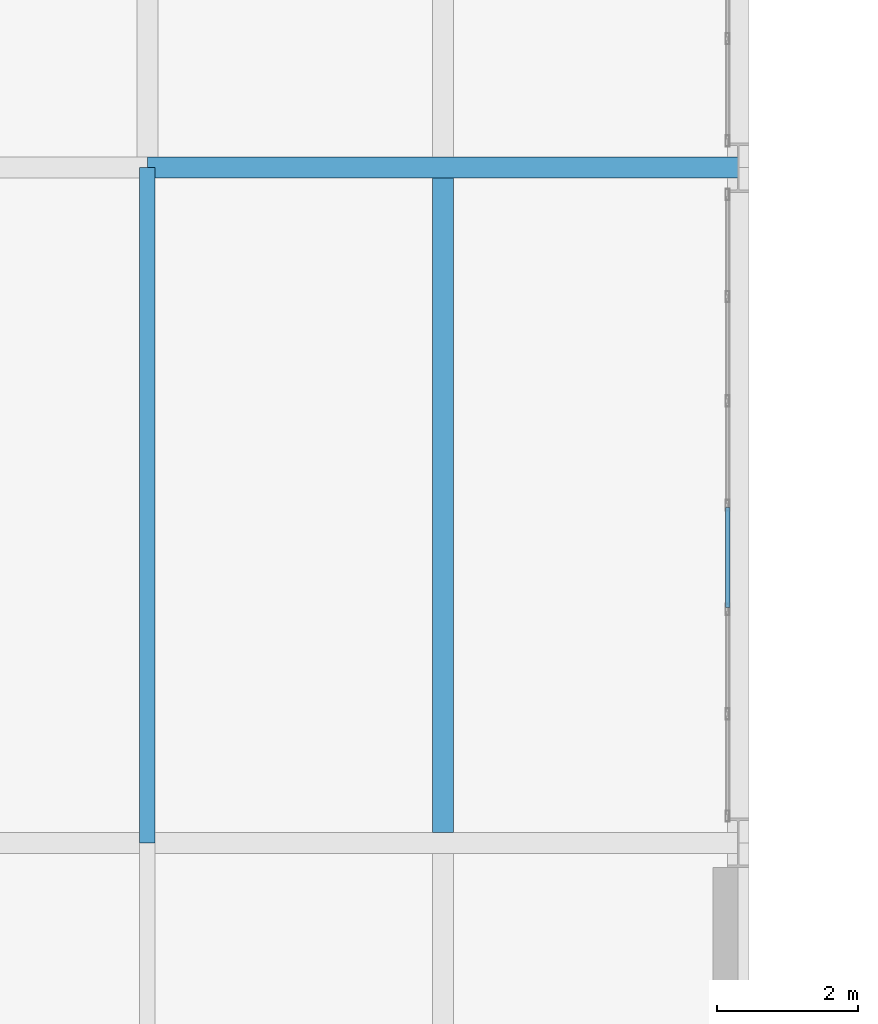
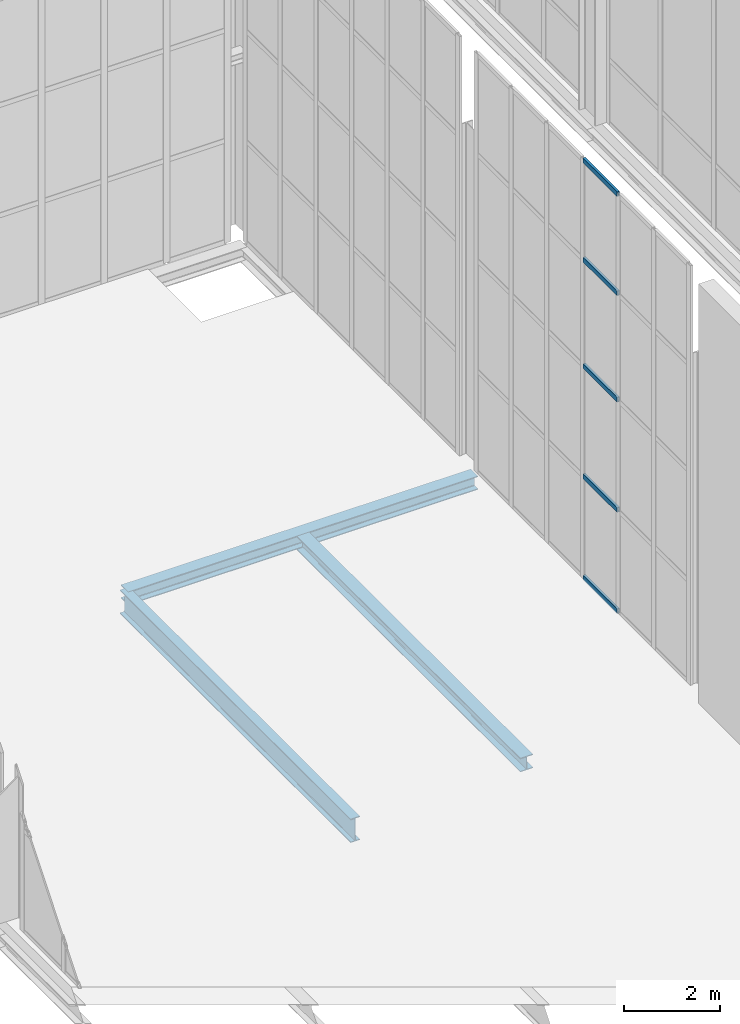
# One storey, part 56 of 131: 5 members, 3 beams, 1 element without a shape of its own.
"""IFC4 building model written with IfcOpenShell, lengths in metres."""

import ifcopenshell
import ifcopenshell.guid

model = None  # the IFC model being written
_history = None  # IfcOwnerHistory: only IFC2X3 demands one
_inside = {}  # id of a spatial element -> (the spatial element, [elements in it])
_under = {}  # id of a project, library or spatial element -> (it, [spatial elements below it])
_declared = {}  # id of a project -> (the project, [libraries it declares])
_typed = {}  # id of a type object -> (the type object, [elements of that type])
_made_of = {}  # id of a material, layer set ... -> (it, [elements and type objects made of it])


def new_model(schema):
    """Start an empty IFC model of exactly this schema.

    Asked for "IFC4X3", IfcOpenShell would pick the latest addendum, in which some entities
    have other attributes; the version numbers below select the first issue.
    IFC2X3 requires an IfcOwnerHistory on every rooted entity: one is made here for all.
    """
    global model, _history
    if schema == "IFC4X3":
        model = ifcopenshell.file(schema_version=(4, 3, 0, 0))
    else:
        model = ifcopenshell.file(schema=schema)
    _inside.clear()
    _under.clear()
    _declared.clear()
    _typed.clear()
    _made_of.clear()
    _history = None
    if model.schema == "IFC2X3":
        org = make("IfcOrganization", Name="unknown")
        user = make(
            "IfcPersonAndOrganization",
            ThePerson=make("IfcPerson", FamilyName="unknown"),
            TheOrganization=org,
        )
        app = make(
            "IfcApplication",
            ApplicationDeveloper=org,
            Version="unknown",
            ApplicationFullName="unknown",
            ApplicationIdentifier="unknown",
        )
        _history = make(
            "IfcOwnerHistory",
            OwningUser=user,
            OwningApplication=app,
            ChangeAction="ADDED",
            CreationDate=0,
        )
    return model


def make(cls, **values):
    """One entity of the class cls with the attributes given. An attribute that is None is left unset."""
    return model.create_entity(
        cls, **{name: value for name, value in values.items() if value is not None}
    )


def rooted(cls, **values):
    """An entity with a GlobalId (a new one), such as an element, a storey or a relation."""
    return make(cls, GlobalId=ifcopenshell.guid.new(), OwnerHistory=_history, **values)


def si_unit(unit_type, name, prefix=None):
    """IfcSIUnit, for example si_unit("LENGTHUNIT", "METRE", prefix="MILLI")."""
    return make("IfcSIUnit", UnitType=unit_type, Prefix=prefix, Name=name)


def assignment(units):
    """IfcUnitAssignment: the units of a project."""
    return None if units is None else make("IfcUnitAssignment", Units=units)


def point(xyz):
    """IfcCartesianPoint."""
    return None if xyz is None else make("IfcCartesianPoint", Coordinates=xyz)


def direction(xyz):
    """IfcDirection."""
    return None if xyz is None else make("IfcDirection", DirectionRatios=xyz)


def frame(location, z_axis=None, x_axis=None):
    """IfcAxis2Placement3D, a coordinate frame: its origin and axes. An axis left out is left unset."""
    return make(
        "IfcAxis2Placement3D",
        Location=point(location),
        Axis=direction(z_axis),
        RefDirection=direction(x_axis),
    )


def frame_2d(location, x_axis=None):
    """IfcAxis2Placement2D, a coordinate frame in the plane: its origin and x axis."""
    return make(
        "IfcAxis2Placement2D", Location=point(location), RefDirection=direction(x_axis)
    )


def origin():
    """The frame at (0, 0, 0) with its axes left unset."""
    return frame((0.0, 0.0, 0.0))


def origin_2d():
    """The frame at (0, 0) in the plane with its x axis left unset."""
    return frame_2d((0.0, 0.0))


def place(relative_to, where):
    """IfcLocalPlacement: puts the frame where relative to a parent placement (None: the world)."""
    return make(
        "IfcLocalPlacement", PlacementRelTo=relative_to, RelativePlacement=where
    )


def context(
    kind, dimensions, precision=None, world=None, true_north=None, identifier=None
):
    """IfcGeometricRepresentationContext, for example the 3D "Model" context."""
    return make(
        "IfcGeometricRepresentationContext",
        ContextIdentifier=identifier,
        ContextType=kind,
        CoordinateSpaceDimension=dimensions,
        Precision=precision,
        WorldCoordinateSystem=world,
        TrueNorth=true_north,
    )


def subcontext(parent, identifier, kind, view, scale=None):
    """IfcGeometricRepresentationSubContext, for example "Body" below "Model"."""
    return make(
        "IfcGeometricRepresentationSubContext",
        ContextIdentifier=identifier,
        ContextType=kind,
        ParentContext=parent,
        TargetScale=scale,
        TargetView=view,
    )


def project(units=None, contexts=None):
    """IfcProject with its units and contexts."""
    return rooted(
        "IfcProject",
        Name="project",
        RepresentationContexts=contexts,
        UnitsInContext=assignment(units),
    )


def spatial(cls, under=None, at=None, **own):
    """A site, building, storey or space (cls), placed at a placement, below another one or the project."""
    s = rooted(cls, ObjectPlacement=at, **own)
    if under is not None:
        _under.setdefault(under.id(), (under, []))[1].append(s)
    return s


def profile(cls, at=None, kind="AREA", **sizes):
    """A parametric profile (cls). Its sizes go by their IFC names, for example OverallWidth=200.0."""
    return make(cls, ProfileType=kind, Position=at, **sizes)


def hollow_rectangle(**sizes):
    """IfcRectangleHollowProfileDef."""
    return profile("IfcRectangleHollowProfileDef", **sizes)


def i_section(**sizes):
    """IfcIShapeProfileDef."""
    return profile("IfcIShapeProfileDef", **sizes)


def extrude(swept, where, along, depth):
    """IfcExtrudedAreaSolid: the profile swept, set in the frame where, extruded along a direction by depth."""
    return make(
        "IfcExtrudedAreaSolid",
        SweptArea=swept,
        Position=where,
        ExtrudedDirection=direction(along),
        Depth=depth,
    )


def shape(context_of_items, identifier, shape_type, items):
    """IfcShapeRepresentation: the items that make up one representation, for example the "Body"."""
    return make(
        "IfcShapeRepresentation",
        ContextOfItems=context_of_items,
        RepresentationIdentifier=identifier,
        RepresentationType=shape_type,
        Items=items,
    )


def material(Name=None, Category=None):
    """IfcMaterial."""
    return make("IfcMaterial", Name=Name, Category=Category)


def material_profile(
    of_material, cross_section, Name=None, Category=None, Priority=None
):
    """IfcMaterialProfile: a cross section and its material."""
    return make(
        "IfcMaterialProfile",
        Name=Name,
        Material=of_material,
        Profile=cross_section,
        Priority=Priority,
        Category=Category,
    )


def profile_set(profiles, Name=None, composite=None):
    """IfcMaterialProfileSet."""
    return make(
        "IfcMaterialProfileSet",
        Name=Name,
        MaterialProfiles=profiles,
        CompositeProfile=composite,
    )


def made_of(thing, what):
    """Note that an element or type object is made of a material, layer set ...; save() writes the relation."""
    if what is not None:
        _made_of.setdefault(what.id(), (what, []))[1].append(thing)
    return thing


def type_object(cls, material=None, **own):
    """A type object (cls), such as IfcWallType, which elements share."""
    return made_of(rooted(cls, **own), material)


def element(
    cls,
    number,
    at=None,
    inside=None,
    cuts=None,
    type_object=None,
    material=None,
    context=None,
    identifier="Body",
    shape_type=None,
    held_by="IfcProductDefinitionShape",
    body=None,
    shapes=None,
    **own,
):
    """One element of the class cls, such as IfcWall. Its Tag is "e" and its number.

    at: its placement. inside: the storey or other place that contains it. cuts: it is an
    opening in that element (IfcRelVoidsElement). A single representation is given by context,
    identifier, shape_type and body (its items); several are given by shapes. held_by: the class
    of the entity that holds the representations. save() writes the other relations.
    """
    e = rooted(cls, Tag="e%d" % number, ObjectPlacement=at, **own)
    if body is not None:
        shapes = [shape(context, identifier, shape_type, body)]
    if shapes is not None:
        e.Representation = make(held_by, Representations=shapes)
    if inside is not None:
        _inside.setdefault(inside.id(), (inside, []))[1].append(e)
    if cuts is not None:
        rooted(
            "IfcRelVoidsElement", RelatingBuildingElement=cuts, RelatedOpeningElement=e
        )
    if type_object is not None:
        _typed.setdefault(type_object.id(), (type_object, []))[1].append(e)
    return made_of(e, material)


def aggregate(whole, parts):
    """IfcRelAggregates: a whole, such as a stair, and the parts it consists of."""
    return rooted("IfcRelAggregates", RelatingObject=whole, RelatedObjects=parts)


def save(model, path):
    """Write the relations noted so far, then the file.

    IfcRelAggregates (storeys below a building ...), IfcRelContainedInSpatialStructure (elements
    in a storey), IfcRelDefinesByType, IfcRelAssociatesMaterial and IfcRelDeclares: one each for
    every whole, place, type object, material and project.
    """
    for whole, parts in _under.values():
        aggregate(whole, parts)
    for where, things in _inside.values():
        rooted(
            "IfcRelContainedInSpatialStructure",
            RelatedElements=things,
            RelatingStructure=where,
        )
    for kind, things in _typed.values():
        rooted("IfcRelDefinesByType", RelatedObjects=things, RelatingType=kind)
    for what, things in _made_of.values():
        rooted("IfcRelAssociatesMaterial", RelatedObjects=things, RelatingMaterial=what)
    for by, libraries in _declared.values():
        rooted("IfcRelDeclares", RelatingContext=by, RelatedDefinitions=libraries)
    model.write(path)


model = new_model("IFC4")

# Units and contexts
model_context = context("Model", 3, precision=1e-05, world=origin(), true_north=direction((0.0, 1.0)))
body_context = subcontext(model_context, "Body", "Model", "MODEL_VIEW")
ifc_project = project(units=[si_unit("LENGTHUNIT", "METRE"), si_unit("AREAUNIT", "SQUARE_METRE"), si_unit("VOLUMEUNIT", "CUBIC_METRE"), si_unit("PLANEANGLEUNIT", "RADIAN"), si_unit("MASSUNIT", "GRAM", prefix="KILO")], contexts=[model_context])

# Site, building, storey
site_placement = place(None, origin())
site = spatial("IfcSite", under=ifc_project, at=site_placement, CompositionType="ELEMENT")
building_placement = place(site_placement, origin())
building = spatial("IfcBuilding", under=site, at=building_placement, Name="Veltarok Museum of Natural Sciences", CompositionType="ELEMENT")
storey_placement = place(building_placement, origin())
storey = spatial("IfcBuildingStorey", under=building, at=storey_placement, Name="L00", CompositionType="ELEMENT", Elevation=0.0)

# Curtain wall, members
ifc_material_1 = material(Name="Low-iron triple insulated glass", Category="glass")
curtain_wall_type = type_object("IfcCurtainWallType", Name="Curtain Wall System CW-PAS-NE-JK-890x1065 (Sculpture Court East Passage J-K 890x1065cm)", PredefinedType="NOTDEFINED", material=ifc_material_1)
curtain_wall_placement = place(storey_placement, origin())
curtain_wall = element("IfcCurtainWall", 1, at=curtain_wall_placement, inside=storey, type_object=curtain_wall_type, Name="Curtain Wall CW-PAS-NE-JK-890x1065 CW-0047", PredefinedType="NOTDEFINED")
ifc_material_2 = material(Name="Thermally broken anodised aluminium", Category="aluminium")
ifc_material_profile_1 = material_profile(ifc_material_2, hollow_rectangle(XDim=0.06005859375, YDim=0.1201171875, WallThickness=0.0048828125, at=origin_2d()), Name="CW TRANSOM 60x120x5")
ifc_profile_set_1 = profile_set([ifc_material_profile_1], Name="Thermally broken anodised aluminium")
member_type = type_object("IfcMemberType", Name="Curtain Wall Horizontal Transom 60x120x5", PredefinedType="USERDEFINED", material=ifc_profile_set_1)
member_1_placement = place(storey_placement, frame((48.25, 84.94677734375, 0.030029296875), z_axis=(0.0, 1.0, 0.0), x_axis=(-1.0, 0.0, 0.0)))
member_1 = element("IfcMember", 2, at=member_1_placement, type_object=member_type, Name="CW-PAS-NE-JK-890x1065 transom 3.1", ObjectType="TRANSOM", PredefinedType="USERDEFINED", context=body_context, shape_type="SweptSolid", body=[
    extrude(hollow_rectangle(XDim=0.06005859375, YDim=0.1201171875, WallThickness=0.0048828125, at=origin_2d()), origin(), (0.0, 0.0, 1.0), 1.42333984375),
])
member_2_placement = place(storey_placement, frame((48.25, 84.94677734375, 2.60009765625), z_axis=(0.0, 1.0, 0.0), x_axis=(-1.0, 0.0, 0.0)))
member_2 = element("IfcMember", 3, at=member_2_placement, type_object=member_type, Name="CW-PAS-NE-JK-890x1065 transom 3.2", ObjectType="TRANSOM", PredefinedType="USERDEFINED", context=body_context, shape_type="SweptSolid", body=[
    extrude(hollow_rectangle(XDim=0.06005859375, YDim=0.1201171875, WallThickness=0.0048828125, at=origin_2d()), origin(), (0.0, 0.0, 1.0), 1.42333984375),
])
member_3_placement = place(storey_placement, frame((48.25, 84.94677734375, 5.39990234375), z_axis=(0.0, 1.0, 0.0), x_axis=(-1.0, 0.0, 0.0)))
member_3 = element("IfcMember", 4, at=member_3_placement, type_object=member_type, Name="CW-PAS-NE-JK-890x1065 transom 3.3", ObjectType="TRANSOM", PredefinedType="USERDEFINED", context=body_context, shape_type="SweptSolid", body=[
    extrude(hollow_rectangle(XDim=0.06005859375, YDim=0.1201171875, WallThickness=0.0048828125, at=origin_2d()), origin(), (0.0, 0.0, 1.0), 1.42333984375),
])
member_4_placement = place(storey_placement, frame((48.25, 84.94677734375, 8.10009765625), z_axis=(0.0, 1.0, 0.0), x_axis=(-1.0, 0.0, 0.0)))
member_4 = element("IfcMember", 5, at=member_4_placement, type_object=member_type, Name="CW-PAS-NE-JK-890x1065 transom 3.4", ObjectType="TRANSOM", PredefinedType="USERDEFINED", context=body_context, shape_type="SweptSolid", body=[
    extrude(hollow_rectangle(XDim=0.06005859375, YDim=0.1201171875, WallThickness=0.0048828125, at=origin_2d()), origin(), (0.0, 0.0, 1.0), 1.42333984375),
])
member_5_placement = place(storey_placement, frame((48.25, 84.94677734375, 10.6201171875), z_axis=(0.0, 1.0, 0.0), x_axis=(-1.0, 0.0, 0.0)))
member_5 = element("IfcMember", 6, at=member_5_placement, type_object=member_type, Name="CW-PAS-NE-JK-890x1065 transom 3.5", ObjectType="TRANSOM", PredefinedType="USERDEFINED", context=body_context, shape_type="SweptSolid", body=[
    extrude(hollow_rectangle(XDim=0.06005859375, YDim=0.1201171875, WallThickness=0.0048828125, at=origin_2d()), origin(), (0.0, 0.0, 1.0), 1.42333984375),
])
aggregate(curtain_wall, [member_1, member_2, member_3, member_4, member_5])

# Beams
ifc_material_3 = material(Name="Steel S355J2", Category="steel")
ifc_material_profile_2 = material_profile(ifc_material_3, i_section(OverallWidth=0.300048828125, OverallDepth=0.35009765625, WebThickness=0.010009765625, FlangeThickness=0.017578125, FilletRadius=0.027099609375, at=origin_2d()), Name="HEA 360")
ifc_profile_set_2 = profile_set([ifc_material_profile_2], Name="Steel S355J2")
beam_type_1 = type_object("IfcBeamType", Name="Long-Span Gallery Joist HEA 360", PredefinedType="JOIST", material=ifc_profile_set_2)
beam_1_placement = place(storey_placement, frame((44.199951171875, 81.748046875, -0.47509765625), z_axis=(0.0, 1.0, 0.0), x_axis=(-1.0, 0.0, 0.0)))
element("IfcBeam", 7, at=beam_1_placement, inside=storey, type_object=beam_type_1, Name="Secondary Joist BM-J07 L00 5-6/J-K.1", PredefinedType="JOIST", context=body_context, shape_type="SweptSolid", body=[
    extrude(i_section(OverallWidth=0.300048828125, OverallDepth=0.35009765625, WebThickness=0.010009765625, FlangeThickness=0.017578125, FilletRadius=0.027099609375, at=origin_2d()), origin(), (0.0, 0.0, 1.0), 9.303955078125),
])
ifc_material_profile_3 = material_profile(ifc_material_3, i_section(OverallWidth=0.300048828125, OverallDepth=0.340087890625, WebThickness=0.011962890625, FlangeThickness=0.021484375, FilletRadius=0.027099609375, at=origin_2d()), Name="HEB 340")
ifc_profile_set_3 = profile_set([ifc_material_profile_3], Name="Steel S355J2")
beam_type_2 = type_object("IfcBeamType", Name="Perimeter Bridge Spandrel HEB 340", PredefinedType="SPANDREL", material=ifc_profile_set_3)
beam_2_placement = place(storey_placement, frame((40.0, 91.199951171875, -0.469970703125), z_axis=(1.0, 0.0, 0.0), x_axis=(0.0, 1.0, 0.0)))
element("IfcBeam", 8, at=beam_2_placement, inside=storey, type_object=beam_type_2, Name="Beam BM-SP07 L00 5-6/K", PredefinedType="SPANDREL", context=body_context, shape_type="SweptSolid", body=[
    extrude(i_section(OverallWidth=0.300048828125, OverallDepth=0.340087890625, WebThickness=0.011962890625, FlangeThickness=0.021484375, FilletRadius=0.027099609375, at=origin_2d()), origin(), (0.0, 0.0, 1.0), 8.39990234375),
])
ifc_material_profile_4 = material_profile(ifc_material_3, i_section(OverallWidth=0.219970703125, OverallDepth=0.60009765625, WebThickness=0.011962890625, FlangeThickness=0.01904296875, FilletRadius=0.02392578125, at=origin_2d()), Name="IPE 600")
ifc_profile_set_4 = profile_set([ifc_material_profile_4], Name="Steel S355J2")
beam_type_3 = type_object("IfcBeamType", Name="Primary Museum Girder IPE 600", PredefinedType="BEAM", material=ifc_profile_set_4)
beam_3_placement = place(storey_placement, frame((40.0, 81.60009765625, -0.60009765625), z_axis=(0.0, 1.0, 0.0), x_axis=(-1.0, 0.0, 0.0)))
element("IfcBeam", 9, at=beam_3_placement, inside=storey, type_object=beam_type_3, Name="Beam BM-G02 L00 5/J-K", PredefinedType="BEAM", context=body_context, shape_type="SweptSolid", body=[
    extrude(i_section(OverallWidth=0.219970703125, OverallDepth=0.60009765625, WebThickness=0.011962890625, FlangeThickness=0.01904296875, FilletRadius=0.02392578125, at=origin_2d()), origin(), (0.0, 0.0, 1.0), 9.599853515625),
])

save(model, "model.ifc")
